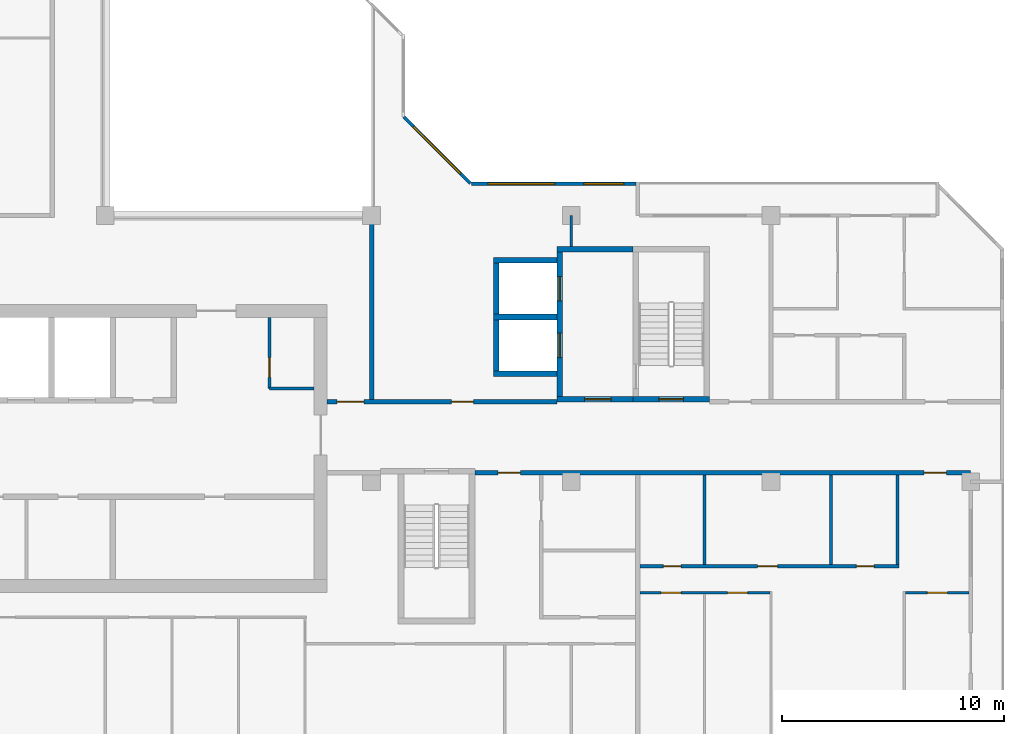
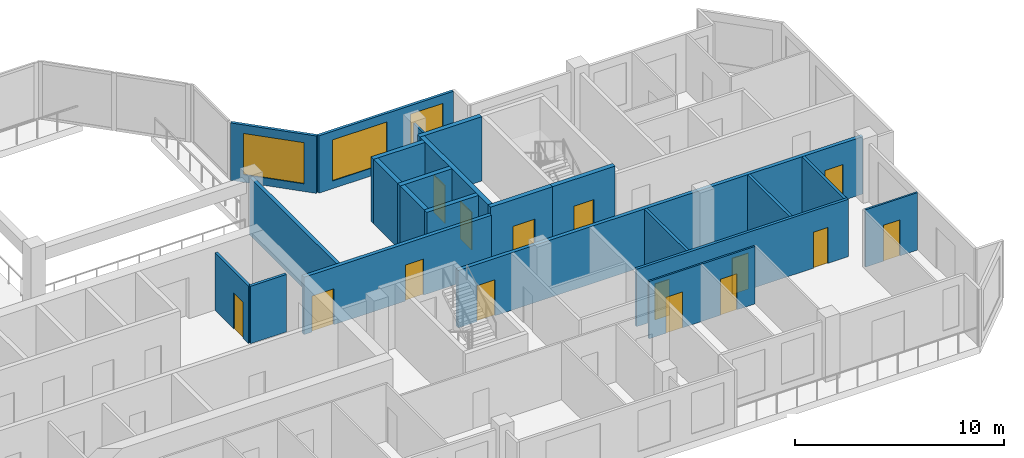
# One storey, part 7 of 13: 23 walls, 15 doors, 3 windows, 18 openings.
"""IFC4 building model written with IfcOpenShell, lengths in metres."""

import ifcopenshell
import ifcopenshell.guid

model = None  # the IFC model being written
_history = None  # IfcOwnerHistory: only IFC2X3 demands one
_inside = {}  # id of a spatial element -> (the spatial element, [elements in it])
_under = {}  # id of a project, library or spatial element -> (it, [spatial elements below it])
_declared = {}  # id of a project -> (the project, [libraries it declares])
_typed = {}  # id of a type object -> (the type object, [elements of that type])
_made_of = {}  # id of a material, layer set ... -> (it, [elements and type objects made of it])


def new_model(schema):
    """Start an empty IFC model of exactly this schema.

    Asked for "IFC4X3", IfcOpenShell would pick the latest addendum, in which some entities
    have other attributes; the version numbers below select the first issue.
    IFC2X3 requires an IfcOwnerHistory on every rooted entity: one is made here for all.
    """
    global model, _history
    if schema == "IFC4X3":
        model = ifcopenshell.file(schema_version=(4, 3, 0, 0))
    else:
        model = ifcopenshell.file(schema=schema)
    _inside.clear()
    _under.clear()
    _declared.clear()
    _typed.clear()
    _made_of.clear()
    _history = None
    if model.schema == "IFC2X3":
        org = make("IfcOrganization", Name="unknown")
        user = make(
            "IfcPersonAndOrganization",
            ThePerson=make("IfcPerson", FamilyName="unknown"),
            TheOrganization=org,
        )
        app = make(
            "IfcApplication",
            ApplicationDeveloper=org,
            Version="unknown",
            ApplicationFullName="unknown",
            ApplicationIdentifier="unknown",
        )
        _history = make(
            "IfcOwnerHistory",
            OwningUser=user,
            OwningApplication=app,
            ChangeAction="ADDED",
            CreationDate=0,
        )
    return model


def make(cls, **values):
    """One entity of the class cls with the attributes given. An attribute that is None is left unset."""
    return model.create_entity(
        cls, **{name: value for name, value in values.items() if value is not None}
    )


def rooted(cls, **values):
    """An entity with a GlobalId (a new one), such as an element, a storey or a relation."""
    return make(cls, GlobalId=ifcopenshell.guid.new(), OwnerHistory=_history, **values)


def si_unit(unit_type, name, prefix=None):
    """IfcSIUnit, for example si_unit("LENGTHUNIT", "METRE", prefix="MILLI")."""
    return make("IfcSIUnit", UnitType=unit_type, Prefix=prefix, Name=name)


def assignment(units):
    """IfcUnitAssignment: the units of a project."""
    return None if units is None else make("IfcUnitAssignment", Units=units)


def point(xyz):
    """IfcCartesianPoint."""
    return None if xyz is None else make("IfcCartesianPoint", Coordinates=xyz)


def direction(xyz):
    """IfcDirection."""
    return None if xyz is None else make("IfcDirection", DirectionRatios=xyz)


def frame(location, z_axis=None, x_axis=None):
    """IfcAxis2Placement3D, a coordinate frame: its origin and axes. An axis left out is left unset."""
    return make(
        "IfcAxis2Placement3D",
        Location=point(location),
        Axis=direction(z_axis),
        RefDirection=direction(x_axis),
    )


def frame_2d(location, x_axis=None):
    """IfcAxis2Placement2D, a coordinate frame in the plane: its origin and x axis."""
    return make(
        "IfcAxis2Placement2D", Location=point(location), RefDirection=direction(x_axis)
    )


def origin():
    """The frame at (0, 0, 0) with its axes left unset."""
    return frame((0.0, 0.0, 0.0))


def place(relative_to, where):
    """IfcLocalPlacement: puts the frame where relative to a parent placement (None: the world)."""
    return make(
        "IfcLocalPlacement", PlacementRelTo=relative_to, RelativePlacement=where
    )


def context(
    kind, dimensions, precision=None, world=None, true_north=None, identifier=None
):
    """IfcGeometricRepresentationContext, for example the 3D "Model" context."""
    return make(
        "IfcGeometricRepresentationContext",
        ContextIdentifier=identifier,
        ContextType=kind,
        CoordinateSpaceDimension=dimensions,
        Precision=precision,
        WorldCoordinateSystem=world,
        TrueNorth=true_north,
    )


def subcontext(parent, identifier, kind, view, scale=None):
    """IfcGeometricRepresentationSubContext, for example "Body" below "Model"."""
    return make(
        "IfcGeometricRepresentationSubContext",
        ContextIdentifier=identifier,
        ContextType=kind,
        ParentContext=parent,
        TargetScale=scale,
        TargetView=view,
    )


def project(units=None, contexts=None):
    """IfcProject with its units and contexts."""
    return rooted(
        "IfcProject",
        Name="project",
        RepresentationContexts=contexts,
        UnitsInContext=assignment(units),
    )


def spatial(cls, under=None, at=None, **own):
    """A site, building, storey or space (cls), placed at a placement, below another one or the project."""
    s = rooted(cls, ObjectPlacement=at, **own)
    if under is not None:
        _under.setdefault(under.id(), (under, []))[1].append(s)
    return s


def profile(cls, at=None, kind="AREA", **sizes):
    """A parametric profile (cls). Its sizes go by their IFC names, for example OverallWidth=200.0."""
    return make(cls, ProfileType=kind, Position=at, **sizes)


def rectangle(**sizes):
    """IfcRectangleProfileDef."""
    return profile("IfcRectangleProfileDef", **sizes)


def extrude(swept, where, along, depth):
    """IfcExtrudedAreaSolid: the profile swept, set in the frame where, extruded along a direction by depth."""
    return make(
        "IfcExtrudedAreaSolid",
        SweptArea=swept,
        Position=where,
        ExtrudedDirection=direction(along),
        Depth=depth,
    )


def shape(context_of_items, identifier, shape_type, items):
    """IfcShapeRepresentation: the items that make up one representation, for example the "Body"."""
    return make(
        "IfcShapeRepresentation",
        ContextOfItems=context_of_items,
        RepresentationIdentifier=identifier,
        RepresentationType=shape_type,
        Items=items,
    )


def material(Name=None, Category=None):
    """IfcMaterial."""
    return make("IfcMaterial", Name=Name, Category=Category)


def layer(
    of_material, thickness, ventilated=None, Name=None, Category=None, Priority=None
):
    """IfcMaterialLayer: one layer of a wall or slab, of a material (None: an air gap)."""
    return make(
        "IfcMaterialLayer",
        Material=of_material,
        LayerThickness=thickness,
        IsVentilated=ventilated,
        Name=Name,
        Category=Category,
        Priority=Priority,
    )


def layer_set(layers, Name=None):
    """IfcMaterialLayerSet."""
    return make("IfcMaterialLayerSet", MaterialLayers=layers, LayerSetName=Name)


def made_of(thing, what):
    """Note that an element or type object is made of a material, layer set ...; save() writes the relation."""
    if what is not None:
        _made_of.setdefault(what.id(), (what, []))[1].append(thing)
    return thing


def type_object(cls, material=None, **own):
    """A type object (cls), such as IfcWallType, which elements share."""
    return made_of(rooted(cls, **own), material)


def element(
    cls,
    number,
    at=None,
    inside=None,
    cuts=None,
    type_object=None,
    material=None,
    context=None,
    identifier="Body",
    shape_type=None,
    held_by="IfcProductDefinitionShape",
    body=None,
    shapes=None,
    **own,
):
    """One element of the class cls, such as IfcWall. Its Tag is "e" and its number.

    at: its placement. inside: the storey or other place that contains it. cuts: it is an
    opening in that element (IfcRelVoidsElement). A single representation is given by context,
    identifier, shape_type and body (its items); several are given by shapes. held_by: the class
    of the entity that holds the representations. save() writes the other relations.
    """
    e = rooted(cls, Tag="e%d" % number, ObjectPlacement=at, **own)
    if body is not None:
        shapes = [shape(context, identifier, shape_type, body)]
    if shapes is not None:
        e.Representation = make(held_by, Representations=shapes)
    if inside is not None:
        _inside.setdefault(inside.id(), (inside, []))[1].append(e)
    if cuts is not None:
        rooted(
            "IfcRelVoidsElement", RelatingBuildingElement=cuts, RelatedOpeningElement=e
        )
    if type_object is not None:
        _typed.setdefault(type_object.id(), (type_object, []))[1].append(e)
    return made_of(e, material)


def fill(opening, filler):
    """IfcRelFillsElement: the door or window that sits in an opening."""
    return rooted(
        "IfcRelFillsElement",
        RelatingOpeningElement=opening,
        RelatedBuildingElement=filler,
    )


def aggregate(whole, parts):
    """IfcRelAggregates: a whole, such as a stair, and the parts it consists of."""
    return rooted("IfcRelAggregates", RelatingObject=whole, RelatedObjects=parts)


def save(model, path):
    """Write the relations noted so far, then the file.

    IfcRelAggregates (storeys below a building ...), IfcRelContainedInSpatialStructure (elements
    in a storey), IfcRelDefinesByType, IfcRelAssociatesMaterial and IfcRelDeclares: one each for
    every whole, place, type object, material and project.
    """
    for whole, parts in _under.values():
        aggregate(whole, parts)
    for where, things in _inside.values():
        rooted(
            "IfcRelContainedInSpatialStructure",
            RelatedElements=things,
            RelatingStructure=where,
        )
    for kind, things in _typed.values():
        rooted("IfcRelDefinesByType", RelatedObjects=things, RelatingType=kind)
    for what, things in _made_of.values():
        rooted("IfcRelAssociatesMaterial", RelatedObjects=things, RelatingMaterial=what)
    for by, libraries in _declared.values():
        rooted("IfcRelDeclares", RelatingContext=by, RelatedDefinitions=libraries)
    model.write(path)


model = new_model("IFC4")

# Units and contexts
model_context = context("Model", 3, precision=1e-05, world=origin(), true_north=direction((0.0, 1.0)))
body_context = subcontext(model_context, "Body", "Model", "MODEL_VIEW")
ifc_project = project(units=[si_unit("LENGTHUNIT", "METRE"), si_unit("AREAUNIT", "SQUARE_METRE"), si_unit("VOLUMEUNIT", "CUBIC_METRE"), si_unit("PLANEANGLEUNIT", "RADIAN"), si_unit("MASSUNIT", "GRAM", prefix="KILO")], contexts=[model_context])

# Site, building, storey
site_placement = place(None, origin())
site = spatial("IfcSite", under=ifc_project, at=site_placement, CompositionType="ELEMENT")
building_placement = place(site_placement, origin())
building = spatial("IfcBuilding", under=site, at=building_placement, Name="Chenar Terraces", CompositionType="ELEMENT")
storey_placement = place(building_placement, frame((0.0, 0.0, 292.14990234375)))
storey = spatial("IfcBuildingStorey", under=building, at=storey_placement, Name="L68", CompositionType="ELEMENT", Elevation=292.14990234375)

# Wall, opening, door
ifc_material_1 = material(Name="Gypsum board on steel studs", Category="steel")
ifc_layer_1 = layer(ifc_material_1, 0.14990234375)
ifc_layer_set_1 = layer_set([ifc_layer_1], Name="Gypsum board on steel studs")
wall_type_1 = type_object("IfcWallType", Name="Core partition 150 gypsum board", PredefinedType="PARTITIONING", material=ifc_layer_set_1)
wall_1_placement = place(storey_placement, frame((31.39990234375, 16.199951171875, 0.0), z_axis=(0.0, 0.0, 1.0), x_axis=(0.0, 1.0, 0.0)))
wall_1 = element("IfcWall", 1, at=wall_1_placement, inside=storey, type_object=wall_type_1, Name="Core partition CP1 vestibule room west wall", PredefinedType="PARTITIONING", context=body_context, shape_type="SweptSolid", body=[
    extrude(rectangle(XDim=3.199951171875, YDim=0.14990234375, at=frame_2d((1.60009765625, 0.0))), origin(), (0.0, 0.0, 1.0), 3.35009765625),
])
opening_1_placement = place(wall_1_placement, frame((0.5, 0.0, 0.0)))
opening_1 = element("IfcOpeningElement", 2, at=opening_1_placement, cuts=wall_1, Name="Opening DL68-C17", PredefinedType="OPENING", context=body_context, shape_type="SweptSolid", body=[
    extrude(rectangle(XDim=0.89990234375, YDim=2.10009765625, at=frame_2d((0.449951171875, 1.050048828125))), frame((0.0, 0.0849609375, 0.0), z_axis=(0.0, -1.0, 0.0), x_axis=(1.0, 0.0, 0.0)), (0.0, 0.0, 1.0), 0.169921875),
])
ifc_material_2 = material(Name="Steel-framed fire-resisting door leaf", Category="steel")
door_type_1 = type_object("IfcDoorType", Name="Riser fire door FD60 900 x 2100", OperationType="SINGLE_SWING_LEFT", PredefinedType="DOOR", material=ifc_material_2)
door_1_placement = place(opening_1_placement, frame((0.89990234375, 0.0, 0.0), z_axis=(0.0, 0.0, 1.0), x_axis=(-1.0, 0.0, 0.0)))
door_1 = element("IfcDoor", 3, at=door_1_placement, inside=storey, type_object=door_type_1, Name="Core room door DL68-C17", OperationType="SINGLE_SWING_RIGHT", OverallHeight=2.10009765625, OverallWidth=0.89990234375, PredefinedType="DOOR", context=body_context, shape_type="SweptSolid", body=[
    extrude(rectangle(XDim=0.89990234375, YDim=2.10009765625, at=frame_2d((0.449951171875, 1.050048828125))), frame((0.0, 0.02490234375, 0.0), z_axis=(0.0, -1.0, 0.0), x_axis=(1.0, 0.0, 0.0)), (0.0, 0.0, 1.0), 0.050048828125),
])
fill(opening_1, door_1)

# Wall
wall_2_placement = place(storey_placement, frame((31.39990234375, 16.199951171875, 0.0), z_axis=(0.0, 0.0, 1.0), x_axis=(1.0, 0.0, 0.0)))
element("IfcWall", 4, at=wall_2_placement, inside=storey, type_object=wall_type_1, Name="Core partition CP1 vestibule room south wall", PredefinedType="PARTITIONING", context=body_context, shape_type="SweptSolid", body=[
    extrude(rectangle(XDim=2.0, YDim=0.14990234375, at=frame_2d((1.0, 0.0))), origin(), (0.0, 0.0, 1.0), 3.35009765625),
])

# Wall, opening, door
ifc_material_3 = material(Name="Concrete C50/60", Category="concrete")
ifc_layer_2 = layer(ifc_material_3, 0.25)
ifc_layer_set_2 = layer_set([ifc_layer_2], Name="Concrete C50/60")
wall_type_2 = type_object("IfcWallType", Name="Core wall 250 Concrete C50/60", PredefinedType="SHEAR", material=ifc_layer_set_2)
wall_3_placement = place(storey_placement, frame((47.77490234375, 15.72509765625, 0.0), z_axis=(0.0, 0.0, 1.0), x_axis=(1.0, 0.0, 0.0)))
wall_3 = element("IfcWall", 5, at=wall_3_placement, inside=storey, type_object=wall_type_2, Name="Core wall ST3_S L68", PredefinedType="SHEAR", context=body_context, shape_type="SweptSolid", body=[
    extrude(rectangle(XDim=3.4501953125, YDim=0.25, at=frame_2d((1.72509765625, 0.0))), origin(), (0.0, 0.0, 1.0), 3.75),
])
opening_2_placement = place(wall_3_placement, frame((1.175048828125, 0.0, 0.0)))
opening_2 = element("IfcOpeningElement", 6, at=opening_2_placement, cuts=wall_3, Name="Opening DL68-C8", PredefinedType="OPENING", context=body_context, shape_type="SweptSolid", body=[
    extrude(rectangle(XDim=1.10009765625, YDim=2.199951171875, at=frame_2d((0.550048828125, 1.10009765625))), frame((0.0, 0.135009765625, 0.0), z_axis=(0.0, -1.0, 0.0), x_axis=(1.0, 0.0, 0.0)), (0.0, 0.0, 1.0), 0.27001953125),
])
ifc_material_4 = material(Name="Steel-framed fire-resisting door leaf", Category="steel")
door_type_2 = type_object("IfcDoorType", Name="Stair fire door FD60 1100 x 2200", OperationType="SINGLE_SWING_LEFT", PredefinedType="DOOR", material=ifc_material_4)
door_2_placement = place(opening_2_placement, frame((1.10009765625, 0.0, 0.0), z_axis=(0.0, 0.0, 1.0), x_axis=(-1.0, 0.0, 0.0)))
door_2 = element("IfcDoor", 7, at=door_2_placement, inside=storey, type_object=door_type_2, Name="Stair door DL68-C8", OperationType="SINGLE_SWING_LEFT", OverallHeight=2.199951171875, OverallWidth=1.10009765625, PredefinedType="DOOR", context=body_context, shape_type="SweptSolid", body=[
    extrude(rectangle(XDim=1.10009765625, YDim=2.199951171875, at=frame_2d((0.550048828125, 1.10009765625))), frame((0.0, 0.02490234375, 0.0), z_axis=(0.0, -1.0, 0.0), x_axis=(1.0, 0.0, 0.0)), (0.0, 0.0, 1.0), 0.050048828125),
])
fill(opening_2, door_2)

wall_4_placement = place(storey_placement, frame((44.35009765625, 15.72509765625, 0.0), z_axis=(0.0, 0.0, 1.0), x_axis=(1.0, 0.0, 0.0)))
wall_4 = element("IfcWall", 8, at=wall_4_placement, inside=storey, type_object=wall_type_2, Name="Core wall F3_LS L68", PredefinedType="SHEAR", context=body_context, shape_type="SweptSolid", body=[
    extrude(rectangle(XDim=3.4248046875, YDim=0.25, at=frame_2d((1.71240234375, 0.0))), origin(), (0.0, 0.0, 1.0), 3.75),
])
opening_3_placement = place(wall_4_placement, frame((1.25, 0.0, 0.0)))
opening_3 = element("IfcOpeningElement", 9, at=opening_3_placement, cuts=wall_4, Name="Opening DL68-C10", PredefinedType="OPENING", context=body_context, shape_type="SweptSolid", body=[
    extrude(rectangle(XDim=1.199951171875, YDim=2.199951171875, at=frame_2d((0.60009765625, 1.10009765625))), frame((0.0, 0.135009765625, 0.0), z_axis=(0.0, -1.0, 0.0), x_axis=(1.0, 0.0, 0.0)), (0.0, 0.0, 1.0), 0.27001953125),
])
ifc_material_5 = material(Name="Steel-framed fire-resisting door leaf", Category="steel")
door_type_3 = type_object("IfcDoorType", Name="Lobby fire door FD60 1200 x 2200", OperationType="SINGLE_SWING_LEFT", PredefinedType="DOOR", material=ifc_material_5)
door_3_placement = place(opening_3_placement, origin())
door_3 = element("IfcDoor", 10, at=door_3_placement, inside=storey, type_object=door_type_3, Name="Core door DL68-C10", OperationType="SINGLE_SWING_RIGHT", OverallHeight=2.199951171875, OverallWidth=1.199951171875, PredefinedType="DOOR", context=body_context, shape_type="SweptSolid", body=[
    extrude(rectangle(XDim=1.199951171875, YDim=2.199951171875, at=frame_2d((0.60009765625, 1.10009765625))), frame((0.0, 0.02490234375, 0.0), z_axis=(0.0, -1.0, 0.0), x_axis=(1.0, 0.0, 0.0)), (0.0, 0.0, 1.0), 0.050048828125),
])
fill(opening_3, door_3)

# Wall
wall_5_placement = place(storey_placement, frame((44.35009765625, 22.47509765625, 0.0), z_axis=(0.0, 0.0, 1.0), x_axis=(1.0, 0.0, 0.0)))
element("IfcWall", 11, at=wall_5_placement, inside=storey, type_object=wall_type_2, Name="Core wall F3_LN L68", PredefinedType="SHEAR", context=body_context, shape_type="SweptSolid", body=[
    extrude(rectangle(XDim=3.4248046875, YDim=0.25, at=frame_2d((1.71240234375, 0.0))), origin(), (0.0, 0.0, 1.0), 3.75),
])

# Wall, openings, doors
wall_6_placement = place(storey_placement, frame((44.47509765625, 15.85009765625, 0.0), z_axis=(0.0, 0.0, 1.0), x_axis=(0.0, 1.0, 0.0)))
wall_6 = element("IfcWall", 12, at=wall_6_placement, inside=storey, type_object=wall_type_2, Name="Core wall F3_LW L68", PredefinedType="SHEAR", context=body_context, shape_type="SweptSolid", body=[
    extrude(rectangle(XDim=6.5, YDim=0.25, at=frame_2d((3.25, 0.0))), origin(), (0.0, 0.0, 1.0), 3.75),
])
opening_4_placement = place(wall_6_placement, frame((1.75, 0.0, 0.0)))
opening_4 = element("IfcOpeningElement", 13, at=opening_4_placement, cuts=wall_6, Name="Opening DL68-LD8", PredefinedType="OPENING", context=body_context, shape_type="SweptSolid", body=[
    extrude(rectangle(XDim=1.10009765625, YDim=2.199951171875, at=frame_2d((0.550048828125, 1.10009765625))), frame((0.0, 0.135009765625, 0.0), z_axis=(0.0, -1.0, 0.0), x_axis=(1.0, 0.0, 0.0)), (0.0, 0.0, 1.0), 0.27001953125),
])
opening_5_placement = place(wall_6_placement, frame((4.300048828125, 0.0, 0.0)))
opening_5 = element("IfcOpeningElement", 14, at=opening_5_placement, cuts=wall_6, Name="Opening DL68-LD9", PredefinedType="OPENING", context=body_context, shape_type="SweptSolid", body=[
    extrude(rectangle(XDim=1.10009765625, YDim=2.199951171875, at=frame_2d((0.550048828125, 1.10009765625))), frame((0.0, 0.135009765625, 0.0), z_axis=(0.0, -1.0, 0.0), x_axis=(1.0, 0.0, 0.0)), (0.0, 0.0, 1.0), 0.27001953125),
])
ifc_material_6 = material(Name="Stainless steel", Category="steel")
door_type_4 = type_object("IfcDoorType", Name="Lift landing door 1100 x 2200 sliding", OperationType="DOUBLE_DOOR_SLIDING", PredefinedType="DOOR", material=ifc_material_6)
door_4_placement = place(opening_4_placement, origin())
door_4 = element("IfcDoor", 15, at=door_4_placement, inside=storey, type_object=door_type_4, Name="Landing door F3", OperationType="DOUBLE_DOOR_SLIDING", OverallHeight=2.199951171875, OverallWidth=1.10009765625, PredefinedType="DOOR", context=body_context, shape_type="SweptSolid", body=[
    extrude(rectangle(XDim=1.10009765625, YDim=2.199951171875, at=frame_2d((0.550048828125, 1.10009765625))), frame((0.0, 0.02490234375, 0.0), z_axis=(0.0, -1.0, 0.0), x_axis=(1.0, 0.0, 0.0)), (0.0, 0.0, 1.0), 0.050048828125),
])
fill(opening_4, door_4)
door_5_placement = place(opening_5_placement, origin())
door_5 = element("IfcDoor", 16, at=door_5_placement, inside=storey, type_object=door_type_4, Name="Landing door F4", OperationType="DOUBLE_DOOR_SLIDING", OverallHeight=2.199951171875, OverallWidth=1.10009765625, PredefinedType="DOOR", context=body_context, shape_type="SweptSolid", body=[
    extrude(rectangle(XDim=1.10009765625, YDim=2.199951171875, at=frame_2d((0.550048828125, 1.10009765625))), frame((0.0, 0.02490234375, 0.0), z_axis=(0.0, -1.0, 0.0), x_axis=(1.0, 0.0, 0.0)), (0.0, 0.0, 1.0), 0.050048828125),
])
fill(opening_5, door_5)

# Walls
for number, where, z_axis, x_axis, name in (
    (17, (41.5, 16.875, 0.0), (0.0, 0.0, 1.0), (1.0, 0.0, 0.0), "Core wall F3_SS L68"),
    (18, (41.5, 19.425048828125, 0.0), (0.0, 0.0, 1.0), (1.0, 0.0, 0.0), "Core wall F3_SM L68"),
    (19, (41.5, 21.97509765625, 0.0), (0.0, 0.0, 1.0), (1.0, 0.0, 0.0), "Core wall F4_SN L68"),
):
    element("IfcWall", number, at=place(storey_placement, frame(where, z_axis=z_axis, x_axis=x_axis)), inside=storey, type_object=wall_type_2, Name=name, PredefinedType="SHEAR", context=body_context, shape_type="SweptSolid", body=[
        extrude(rectangle(XDim=2.85009765625, YDim=0.25, at=frame_2d((1.425048828125, 0.0))), origin(), (0.0, 0.0, 1.0), 3.75),
    ])
for number, where, z_axis, x_axis, name in (
    (20, (41.625, 17.0, 0.0), (0.0, 0.0, 1.0), (0.0, 1.0, 0.0), "Core wall F3_SW L68"),
    (21, (41.625, 19.550048828125, 0.0), (0.0, 0.0, 1.0), (0.0, 1.0, 0.0), "Core wall F4_SW L68"),
):
    element("IfcWall", number, at=place(storey_placement, frame(where, z_axis=z_axis, x_axis=x_axis)), inside=storey, type_object=wall_type_2, Name=name, PredefinedType="SHEAR", context=body_context, shape_type="SweptSolid", body=[
        extrude(rectangle(XDim=2.300048828125, YDim=0.25, at=frame_2d((1.14990234375, 0.0))), origin(), (0.0, 0.0, 1.0), 3.75),
    ])

# Wall, openings, doors
ifc_material_7 = material(Name="Gypsum board on steel studs with fire boards", Category="steel")
ifc_layer_3 = layer(ifc_material_7, 0.199951171875)
ifc_layer_set_3 = layer_set([ifc_layer_3], Name="Gypsum board on steel studs with fire boards")
wall_type_3 = type_object("IfcWallType", Name="Corridor wall 200", PredefinedType="PARTITIONING", material=ifc_layer_set_3)
wall_7_placement = place(storey_placement, frame((34.0, 15.60009765625, 0.0), z_axis=(0.0, 0.0, 1.0), x_axis=(1.0, 0.0, 0.0)))
wall_7 = element("IfcWall", 22, at=wall_7_placement, inside=storey, type_object=wall_type_3, Name="Partition L68-049", PredefinedType="PARTITIONING", context=body_context, shape_type="SweptSolid", body=[
    extrude(rectangle(XDim=10.35009765625, YDim=0.199951171875, at=frame_2d((5.175048828125, 0.0))), origin(), (0.0, 0.0, 1.0), 3.35009765625),
])
opening_6_placement = place(wall_7_placement, frame((5.60009765625, 0.0, 0.0)))
opening_6 = element("IfcOpeningElement", 23, at=opening_6_placement, cuts=wall_7, Name="Opening DL68-3", PredefinedType="OPENING", context=body_context, shape_type="SweptSolid", body=[
    extrude(rectangle(XDim=1.0, YDim=2.10009765625, at=frame_2d((0.5, 1.050048828125))), frame((0.0, 0.10986328125, 0.0), z_axis=(0.0, -1.0, 0.0), x_axis=(1.0, 0.0, 0.0)), (0.0, 0.0, 1.0), 0.219970703125),
])
opening_7_placement = place(wall_7_placement, frame((0.449951171875, 0.0, 0.0)))
opening_7 = element("IfcOpeningElement", 24, at=opening_7_placement, cuts=wall_7, Name="Opening DL68-30", PredefinedType="OPENING", context=body_context, shape_type="SweptSolid", body=[
    extrude(rectangle(XDim=1.199951171875, YDim=2.10009765625, at=frame_2d((0.60009765625, 1.050048828125))), frame((0.0, 0.10986328125, 0.0), z_axis=(0.0, -1.0, 0.0), x_axis=(1.0, 0.0, 0.0)), (0.0, 0.0, 1.0), 0.219970703125),
])
ifc_material_8 = material(Name="Steel-framed fire-resisting door leaf", Category="steel")
door_type_5 = type_object("IfcDoorType", Name="Fire door FD60 1000 x 2100", OperationType="SINGLE_SWING_LEFT", PredefinedType="DOOR", material=ifc_material_8)
door_6_placement = place(opening_6_placement, origin())
door_6 = element("IfcDoor", 25, at=door_6_placement, inside=storey, type_object=door_type_5, Name="Door DL68-3", OperationType="SINGLE_SWING_RIGHT", OverallHeight=2.10009765625, OverallWidth=1.0, PredefinedType="DOOR", context=body_context, shape_type="SweptSolid", body=[
    extrude(rectangle(XDim=1.0, YDim=2.10009765625, at=frame_2d((0.5, 1.050048828125))), frame((0.0, 0.02490234375, 0.0), z_axis=(0.0, -1.0, 0.0), x_axis=(1.0, 0.0, 0.0)), (0.0, 0.0, 1.0), 0.050048828125),
])
fill(opening_6, door_6)
ifc_material_9 = material(Name="Steel-framed fire-resisting door leaf", Category="steel")
door_type_6 = type_object("IfcDoorType", Name="Fire door FD60 1200 x 2100", OperationType="SINGLE_SWING_LEFT", PredefinedType="DOOR", material=ifc_material_9)
door_7_placement = place(opening_7_placement, origin())
door_7 = element("IfcDoor", 26, at=door_7_placement, inside=storey, type_object=door_type_6, Name="Door DL68-30", OperationType="SINGLE_SWING_RIGHT", OverallHeight=2.10009765625, OverallWidth=1.199951171875, PredefinedType="DOOR", context=body_context, shape_type="SweptSolid", body=[
    extrude(rectangle(XDim=1.199951171875, YDim=2.10009765625, at=frame_2d((0.60009765625, 1.050048828125))), frame((0.0, 0.02490234375, 0.0), z_axis=(0.0, -1.0, 0.0), x_axis=(1.0, 0.0, 0.0)), (0.0, 0.0, 1.0), 0.050048828125),
])
fill(opening_7, door_7)

# Wall
wall_8_placement = place(storey_placement, frame((36.0, 15.699951171875, 0.0), z_axis=(0.0, 0.0, 1.0), x_axis=(0.0, 1.0, 0.0)))
element("IfcWall", 27, at=wall_8_placement, inside=storey, type_object=wall_type_3, Name="Partition L68-050", PredefinedType="PARTITIONING", context=body_context, shape_type="SweptSolid", body=[
    extrude(rectangle(XDim=8.300048828125, YDim=0.199951171875, at=frame_2d((4.14990234375, 0.0))), origin(), (0.0, 0.0, 1.0), 3.35009765625),
])

# Wall, openings, doors
wall_9_placement = place(storey_placement, frame((40.64990234375, 12.39990234375, 0.0), z_axis=(0.0, 0.0, 1.0), x_axis=(1.0, 0.0, 0.0)))
wall_9 = element("IfcWall", 28, at=wall_9_placement, inside=storey, type_object=wall_type_3, Name="Partition L68-051", PredefinedType="PARTITIONING", context=body_context, shape_type="SweptSolid", body=[
    extrude(rectangle(XDim=22.35009765625, YDim=0.199951171875, at=frame_2d((11.175048828125, 0.0))), origin(), (0.0, 0.0, 1.0), 3.35009765625),
])
opening_8_placement = place(wall_9_placement, frame((20.25, 0.0, 0.0)))
opening_8 = element("IfcOpeningElement", 29, at=opening_8_placement, cuts=wall_9, Name="Opening DL68-15", PredefinedType="OPENING", context=body_context, shape_type="SweptSolid", body=[
    extrude(rectangle(XDim=1.0, YDim=2.10009765625, at=frame_2d((0.5, 1.050048828125))), frame((0.0, 0.10986328125, 0.0), z_axis=(0.0, -1.0, 0.0), x_axis=(1.0, 0.0, 0.0)), (0.0, 0.0, 1.0), 0.219970703125),
])
opening_9_placement = place(wall_9_placement, frame((1.050048828125, 0.0, 0.0)))
opening_9 = element("IfcOpeningElement", 30, at=opening_9_placement, cuts=wall_9, Name="Opening DL68-44", PredefinedType="OPENING", context=body_context, shape_type="SweptSolid", body=[
    extrude(rectangle(XDim=1.0, YDim=2.10009765625, at=frame_2d((0.5, 1.050048828125))), frame((0.0, 0.10986328125, 0.0), z_axis=(0.0, -1.0, 0.0), x_axis=(1.0, 0.0, 0.0)), (0.0, 0.0, 1.0), 0.219970703125),
])
ifc_material_10 = material(Name="Steel-framed fire-resisting door leaf", Category="steel")
door_type_7 = type_object("IfcDoorType", Name="Fire door FD30S 1000 x 2100", OperationType="SINGLE_SWING_LEFT", PredefinedType="DOOR", material=ifc_material_10)
door_8_placement = place(opening_8_placement, frame((1.0, 0.0, 0.0), z_axis=(0.0, 0.0, 1.0), x_axis=(-1.0, 0.0, 0.0)))
door_8 = element("IfcDoor", 31, at=door_8_placement, inside=storey, type_object=door_type_7, Name="Door DL68-15", OperationType="SINGLE_SWING_LEFT", OverallHeight=2.10009765625, OverallWidth=1.0, PredefinedType="DOOR", context=body_context, shape_type="SweptSolid", body=[
    extrude(rectangle(XDim=1.0, YDim=2.10009765625, at=frame_2d((0.5, 1.050048828125))), frame((0.0, 0.02490234375, 0.0), z_axis=(0.0, -1.0, 0.0), x_axis=(1.0, 0.0, 0.0)), (0.0, 0.0, 1.0), 0.050048828125),
])
fill(opening_8, door_8)
door_9_placement = place(opening_9_placement, origin())
door_9 = element("IfcDoor", 32, at=door_9_placement, inside=storey, type_object=door_type_7, Name="Door DL68-44", OperationType="SINGLE_SWING_LEFT", OverallHeight=2.10009765625, OverallWidth=1.0, PredefinedType="DOOR", context=body_context, shape_type="SweptSolid", body=[
    extrude(rectangle(XDim=1.0, YDim=2.10009765625, at=frame_2d((0.5, 1.050048828125))), frame((0.0, 0.02490234375, 0.0), z_axis=(0.0, -1.0, 0.0), x_axis=(1.0, 0.0, 0.0)), (0.0, 0.0, 1.0), 0.050048828125),
])
fill(opening_9, door_9)

# Wall, openings, windows
ifc_material_11 = material(Name="Aluminium framed glazing", Category="aluminium")
ifc_layer_4 = layer(ifc_material_11, 0.14990234375)
ifc_layer_set_4 = layer_set([ifc_layer_4], Name="Aluminium framed glazing")
wall_type_4 = type_object("IfcWallType", Name="Glazed flush facade wall 150", PredefinedType="SOLIDWALL", material=ifc_layer_set_4)
wall_10_placement = place(storey_placement, frame((47.925048828125, 25.425048828125, 0.0), z_axis=(0.0, 0.0, 1.0), x_axis=(-1.0, 0.0, 0.0)))
wall_10 = element("IfcWall", 33, at=wall_10_placement, inside=storey, type_object=wall_type_4, Name="Glazed flush facade wall", PredefinedType="SOLIDWALL", context=body_context, shape_type="SweptSolid", body=[
    extrude(rectangle(XDim=7.425048828125, YDim=0.14990234375, at=frame_2d((3.71240234375, 0.0))), origin(), (0.0, 0.0, 1.0), 3.35009765625),
])
opening_10_placement = place(wall_10_placement, frame((0.5625, 0.0, 0.449951171875)))
opening_10 = element("IfcOpeningElement", 34, at=opening_10_placement, cuts=wall_10, Name="Opening W180x240", PredefinedType="OPENING", context=body_context, shape_type="SweptSolid", body=[
    extrude(rectangle(XDim=1.800048828125, YDim=2.39990234375, at=frame_2d((0.89990234375, 1.199951171875))), frame((0.0, 0.0849609375, 0.0), z_axis=(0.0, -1.0, 0.0), x_axis=(1.0, 0.0, 0.0)), (0.0, 0.0, 1.0), 0.169921875),
])
opening_11_placement = place(wall_10_placement, frame((3.675048828125, 0.0, 0.449951171875)))
opening_11 = element("IfcOpeningElement", 35, at=opening_11_placement, cuts=wall_10, Name="Opening W300x240", PredefinedType="OPENING", context=body_context, shape_type="SweptSolid", body=[
    extrude(rectangle(XDim=3.0, YDim=2.39990234375, at=frame_2d((1.5, 1.199951171875))), frame((0.0, 0.0849609375, 0.0), z_axis=(0.0, -1.0, 0.0), x_axis=(1.0, 0.0, 0.0)), (0.0, 0.0, 1.0), 0.169921875),
])
ifc_material_12 = material(Name="Low emissivity double glazing, aluminium frame", Category="aluminium")
window_type_1 = type_object("IfcWindowType", Name="Fixed light 1800 x 2400", PartitioningType="SINGLE_PANEL", PredefinedType="WINDOW", material=ifc_material_12)
window_1_placement = place(opening_10_placement, origin())
window_1 = element("IfcWindow", 36, at=window_1_placement, inside=storey, type_object=window_type_1, Name="Window", OverallHeight=2.39990234375, OverallWidth=1.800048828125, PartitioningType="SINGLE_PANEL", PredefinedType="WINDOW", context=body_context, shape_type="SweptSolid", body=[
    extrude(rectangle(XDim=1.800048828125, YDim=2.39990234375, at=frame_2d((0.89990234375, 1.199951171875))), frame((0.0, 0.030029296875, 0.0), z_axis=(0.0, -1.0, 0.0), x_axis=(1.0, 0.0, 0.0)), (0.0, 0.0, 1.0), 0.06005859375),
])
fill(opening_10, window_1)
ifc_material_13 = material(Name="Low emissivity double glazing, aluminium frame", Category="aluminium")
window_type_2 = type_object("IfcWindowType", Name="Fixed light 3000 x 2400", PartitioningType="SINGLE_PANEL", PredefinedType="WINDOW", material=ifc_material_13)
window_2_placement = place(opening_11_placement, origin())
window_2 = element("IfcWindow", 37, at=window_2_placement, inside=storey, type_object=window_type_2, Name="Window", OverallHeight=2.39990234375, OverallWidth=3.0, PartitioningType="SINGLE_PANEL", PredefinedType="WINDOW", context=body_context, shape_type="SweptSolid", body=[
    extrude(rectangle(XDim=3.0, YDim=2.39990234375, at=frame_2d((1.5, 1.199951171875))), frame((0.0, 0.030029296875, 0.0), z_axis=(0.0, -1.0, 0.0), x_axis=(1.0, 0.0, 0.0)), (0.0, 0.0, 1.0), 0.06005859375),
])
fill(opening_11, window_2)

# Wall
ifc_material_14 = material(Name="Gypsum board on steel studs", Category="steel")
ifc_layer_5 = layer(ifc_material_14, 0.10009765625)
ifc_layer_set_5 = layer_set([ifc_layer_5], Name="Gypsum board on steel studs")
wall_type_5 = type_object("IfcWallType", Name="Gypsum partition 100", PredefinedType="PARTITIONING", material=ifc_layer_set_5)
wall_11_placement = place(storey_placement, frame((45.0, 22.60009765625, 0.0), z_axis=(0.0, 0.0, 1.0), x_axis=(0.0, 1.0, 0.0)))
element("IfcWall", 38, at=wall_11_placement, inside=storey, type_object=wall_type_5, Name="Partition L68-057", PredefinedType="PARTITIONING", context=body_context, shape_type="SweptSolid", body=[
    extrude(rectangle(XDim=1.39990234375, YDim=0.10009765625, at=frame_2d((0.699951171875, 0.0))), origin(), (0.0, 0.0, 1.0), 3.35009765625),
])

# Wall, openings, doors
wall_12_placement = place(storey_placement, frame((48.10009765625, 7.0, 0.0), z_axis=(0.0, 0.0, 1.0), x_axis=(1.0, 0.0, 0.0)))
wall_12 = element("IfcWall", 39, at=wall_12_placement, inside=storey, type_object=wall_type_5, Name="Partition L68-059", PredefinedType="PARTITIONING", context=body_context, shape_type="SweptSolid", body=[
    extrude(rectangle(XDim=5.849853515625, YDim=0.10009765625, at=frame_2d((2.9248046875, 0.0))), origin(), (0.0, 0.0, 1.0), 3.35009765625),
])
opening_12_placement = place(wall_12_placement, frame((0.949951171875, 0.0, 0.0)))
opening_12 = element("IfcOpeningElement", 40, at=opening_12_placement, cuts=wall_12, Name="Opening DL68-10", PredefinedType="OPENING", context=body_context, shape_type="SweptSolid", body=[
    extrude(rectangle(XDim=0.89990234375, YDim=2.10009765625, at=frame_2d((0.449951171875, 1.050048828125))), frame((0.0, 0.06005859375, 0.0), z_axis=(0.0, -1.0, 0.0), x_axis=(1.0, 0.0, 0.0)), (0.0, 0.0, 1.0), 0.1201171875),
])
opening_13_placement = place(wall_12_placement, frame((3.949951171875, 0.0, 0.0)))
opening_13 = element("IfcOpeningElement", 41, at=opening_13_placement, cuts=wall_12, Name="Opening DL68-11", PredefinedType="OPENING", context=body_context, shape_type="SweptSolid", body=[
    extrude(rectangle(XDim=0.89990234375, YDim=2.10009765625, at=frame_2d((0.449951171875, 1.050048828125))), frame((0.0, 0.06005859375, 0.0), z_axis=(0.0, -1.0, 0.0), x_axis=(1.0, 0.0, 0.0)), (0.0, 0.0, 1.0), 0.1201171875),
])
ifc_material_15 = material(Name="Veneered timber door leaf", Category="wood")
door_type_8 = type_object("IfcDoorType", Name="Door 900 x 2100", OperationType="SINGLE_SWING_LEFT", PredefinedType="DOOR", material=ifc_material_15)
door_10_placement = place(opening_12_placement, frame((0.89990234375, 0.0, 0.0), z_axis=(0.0, 0.0, 1.0), x_axis=(-1.0, 0.0, 0.0)))
door_10 = element("IfcDoor", 42, at=door_10_placement, inside=storey, type_object=door_type_8, Name="Door DL68-10", OperationType="SINGLE_SWING_LEFT", OverallHeight=2.10009765625, OverallWidth=0.89990234375, PredefinedType="DOOR", context=body_context, shape_type="SweptSolid", body=[
    extrude(rectangle(XDim=0.89990234375, YDim=2.10009765625, at=frame_2d((0.449951171875, 1.050048828125))), frame((0.0, 0.02490234375, 0.0), z_axis=(0.0, -1.0, 0.0), x_axis=(1.0, 0.0, 0.0)), (0.0, 0.0, 1.0), 0.050048828125),
])
fill(opening_12, door_10)
door_11_placement = place(opening_13_placement, frame((0.89990234375, 0.0, 0.0), z_axis=(0.0, 0.0, 1.0), x_axis=(-1.0, 0.0, 0.0)))
door_11 = element("IfcDoor", 43, at=door_11_placement, inside=storey, type_object=door_type_8, Name="Door DL68-11", OperationType="SINGLE_SWING_LEFT", OverallHeight=2.10009765625, OverallWidth=0.89990234375, PredefinedType="DOOR", context=body_context, shape_type="SweptSolid", body=[
    extrude(rectangle(XDim=0.89990234375, YDim=2.10009765625, at=frame_2d((0.449951171875, 1.050048828125))), frame((0.0, 0.02490234375, 0.0), z_axis=(0.0, -1.0, 0.0), x_axis=(1.0, 0.0, 0.0)), (0.0, 0.0, 1.0), 0.050048828125),
])
fill(opening_13, door_11)

# Wall, opening, door
wall_13_placement = place(storey_placement, frame((60.050048828125, 7.0, 0.0), z_axis=(0.0, 0.0, 1.0), x_axis=(1.0, 0.0, 0.0)))
wall_13 = element("IfcWall", 44, at=wall_13_placement, inside=storey, type_object=wall_type_5, Name="Partition L68-075", PredefinedType="PARTITIONING", context=body_context, shape_type="SweptSolid", body=[
    extrude(rectangle(XDim=2.8759765625, YDim=0.10009765625, at=frame_2d((1.43798828125, 0.0))), origin(), (0.0, 0.0, 1.0), 3.35009765625),
])
opening_14_placement = place(wall_13_placement, frame((1.0, 0.0, 0.0)))
opening_14 = element("IfcOpeningElement", 45, at=opening_14_placement, cuts=wall_13, Name="Opening DL68-12", PredefinedType="OPENING", context=body_context, shape_type="SweptSolid", body=[
    extrude(rectangle(XDim=0.89990234375, YDim=2.10009765625, at=frame_2d((0.449951171875, 1.050048828125))), frame((0.0, 0.06005859375, 0.0), z_axis=(0.0, -1.0, 0.0), x_axis=(1.0, 0.0, 0.0)), (0.0, 0.0, 1.0), 0.1201171875),
])
door_12_placement = place(opening_14_placement, frame((0.89990234375, 0.0, 0.0), z_axis=(0.0, 0.0, 1.0), x_axis=(-1.0, 0.0, 0.0)))
door_12 = element("IfcDoor", 46, at=door_12_placement, inside=storey, type_object=door_type_8, Name="Door DL68-12", OperationType="SINGLE_SWING_LEFT", OverallHeight=2.10009765625, OverallWidth=0.89990234375, PredefinedType="DOOR", context=body_context, shape_type="SweptSolid", body=[
    extrude(rectangle(XDim=0.89990234375, YDim=2.10009765625, at=frame_2d((0.449951171875, 1.050048828125))), frame((0.0, 0.02490234375, 0.0), z_axis=(0.0, -1.0, 0.0), x_axis=(1.0, 0.0, 0.0)), (0.0, 0.0, 1.0), 0.050048828125),
])
fill(opening_14, door_12)

# Wall, opening, window
ifc_material_16 = material(Name="Terracotta cladding on insulated backing", Category="masonry")
ifc_layer_6 = layer(ifc_material_16, 0.14990234375)
ifc_layer_set_6 = layer_set([ifc_layer_6], Name="Terracotta cladding on insulated backing")
wall_type_6 = type_object("IfcWallType", Name="Terracotta rainscreen wall 150", PredefinedType="SOLIDWALL", material=ifc_layer_set_6)
wall_14_placement = place(storey_placement, frame((40.447021484375, 25.447021484375, 0.0), z_axis=(0.0, 0.0, 1.0), x_axis=(-0.707106781187, 0.707106781187, 0.0)))
wall_14 = element("IfcWall", 47, at=wall_14_placement, inside=storey, type_object=wall_type_6, Name="Terracotta rainscreen wall", PredefinedType="SOLIDWALL", context=body_context, shape_type="SweptSolid", body=[
    extrude(rectangle(XDim=4.24267578125, YDim=0.14990234375, at=frame_2d((2.121337890625, 0.0))), origin(), (0.0, 0.0, 1.0), 3.35009765625),
])
opening_15_placement = place(wall_14_placement, frame((0.621337890625, 0.0, 0.449951171875)))
opening_15 = element("IfcOpeningElement", 48, at=opening_15_placement, cuts=wall_14, Name="Opening W300x240", PredefinedType="OPENING", context=body_context, shape_type="SweptSolid", body=[
    extrude(rectangle(XDim=3.0, YDim=2.39990234375, at=frame_2d((1.5, 1.199951171875))), frame((0.0, 0.0849609375, 0.0), z_axis=(0.0, -1.0, 0.0), x_axis=(1.0, 0.0, 0.0)), (0.0, 0.0, 1.0), 0.169921875),
])
window_3_placement = place(opening_15_placement, origin())
window_3 = element("IfcWindow", 49, at=window_3_placement, inside=storey, type_object=window_type_2, Name="Window", OverallHeight=2.39990234375, OverallWidth=3.0, PartitioningType="SINGLE_PANEL", PredefinedType="WINDOW", context=body_context, shape_type="SweptSolid", body=[
    extrude(rectangle(XDim=3.0, YDim=2.39990234375, at=frame_2d((1.5, 1.199951171875))), frame((0.0, 0.030029296875, 0.0), z_axis=(0.0, -1.0, 0.0), x_axis=(1.0, 0.0, 0.0)), (0.0, 0.0, 1.0), 0.06005859375),
])
fill(opening_15, window_3)

# Wall, openings, doors
ifc_material_17 = material(Name="Moisture-resistant gypsum board on steel studs", Category="steel")
ifc_layer_7 = layer(ifc_material_17, 0.14990234375)
ifc_layer_set_7 = layer_set([ifc_layer_7], Name="Moisture-resistant gypsum board on steel studs")
wall_type_7 = type_object("IfcWallType", Name="Wet-room partition 150", PredefinedType="PARTITIONING", material=ifc_layer_set_7)
wall_15_placement = place(storey_placement, frame((48.10009765625, 8.199951171875, 0.0), z_axis=(0.0, 0.0, 1.0), x_axis=(1.0, 0.0, 0.0)))
wall_15 = element("IfcWall", 50, at=wall_15_placement, inside=storey, type_object=wall_type_7, Name="Partition L68-060", PredefinedType="PARTITIONING", context=body_context, shape_type="SweptSolid", body=[
    extrude(rectangle(XDim=11.6748046875, YDim=0.14990234375, at=frame_2d((5.83740234375, 0.0))), origin(), (0.0, 0.0, 1.0), 3.35009765625),
])
opening_16_placement = place(wall_15_placement, frame((9.75, 0.0, 0.0)))
opening_16 = element("IfcOpeningElement", 51, at=opening_16_placement, cuts=wall_15, Name="Opening DL68-9", PredefinedType="OPENING", context=body_context, shape_type="SweptSolid", body=[
    extrude(rectangle(XDim=0.800048828125, YDim=2.10009765625, at=frame_2d((0.39990234375, 1.050048828125))), frame((0.0, 0.0849609375, 0.0), z_axis=(0.0, -1.0, 0.0), x_axis=(1.0, 0.0, 0.0)), (0.0, 0.0, 1.0), 0.169921875),
])
opening_17_placement = place(wall_15_placement, frame((5.300048828125, 0.0, 0.0)))
opening_17 = element("IfcOpeningElement", 52, at=opening_17_placement, cuts=wall_15, Name="Opening DL68-13", PredefinedType="OPENING", context=body_context, shape_type="SweptSolid", body=[
    extrude(rectangle(XDim=0.89990234375, YDim=2.10009765625, at=frame_2d((0.449951171875, 1.050048828125))), frame((0.0, 0.0849609375, 0.0), z_axis=(0.0, -1.0, 0.0), x_axis=(1.0, 0.0, 0.0)), (0.0, 0.0, 1.0), 0.169921875),
])
opening_18_placement = place(wall_15_placement, frame((1.050048828125, 0.0, 0.0)))
opening_18 = element("IfcOpeningElement", 53, at=opening_18_placement, cuts=wall_15, Name="Opening DL68-14", PredefinedType="OPENING", context=body_context, shape_type="SweptSolid", body=[
    extrude(rectangle(XDim=0.800048828125, YDim=2.10009765625, at=frame_2d((0.39990234375, 1.050048828125))), frame((0.0, 0.0849609375, 0.0), z_axis=(0.0, -1.0, 0.0), x_axis=(1.0, 0.0, 0.0)), (0.0, 0.0, 1.0), 0.169921875),
])
ifc_material_18 = material(Name="Veneered timber door leaf", Category="wood")
door_type_9 = type_object("IfcDoorType", Name="Door 800 x 2100", OperationType="SINGLE_SWING_LEFT", PredefinedType="DOOR", material=ifc_material_18)
door_13_placement = place(opening_16_placement, origin())
door_13 = element("IfcDoor", 54, at=door_13_placement, inside=storey, type_object=door_type_9, Name="Door DL68-9", OperationType="SINGLE_SWING_RIGHT", OverallHeight=2.10009765625, OverallWidth=0.800048828125, PredefinedType="DOOR", context=body_context, shape_type="SweptSolid", body=[
    extrude(rectangle(XDim=0.800048828125, YDim=2.10009765625, at=frame_2d((0.39990234375, 1.050048828125))), frame((0.0, 0.02490234375, 0.0), z_axis=(0.0, -1.0, 0.0), x_axis=(1.0, 0.0, 0.0)), (0.0, 0.0, 1.0), 0.050048828125),
])
fill(opening_16, door_13)
door_14_placement = place(opening_18_placement, origin())
door_14 = element("IfcDoor", 55, at=door_14_placement, inside=storey, type_object=door_type_9, Name="Door DL68-14", OperationType="SINGLE_SWING_RIGHT", OverallHeight=2.10009765625, OverallWidth=0.800048828125, PredefinedType="DOOR", context=body_context, shape_type="SweptSolid", body=[
    extrude(rectangle(XDim=0.800048828125, YDim=2.10009765625, at=frame_2d((0.39990234375, 1.050048828125))), frame((0.0, 0.02490234375, 0.0), z_axis=(0.0, -1.0, 0.0), x_axis=(1.0, 0.0, 0.0)), (0.0, 0.0, 1.0), 0.050048828125),
])
fill(opening_18, door_14)
door_15_placement = place(opening_17_placement, origin())
door_15 = element("IfcDoor", 56, at=door_15_placement, inside=storey, type_object=door_type_8, Name="Door DL68-13", OperationType="SINGLE_SWING_LEFT", OverallHeight=2.10009765625, OverallWidth=0.89990234375, PredefinedType="DOOR", context=body_context, shape_type="SweptSolid", body=[
    extrude(rectangle(XDim=0.89990234375, YDim=2.10009765625, at=frame_2d((0.449951171875, 1.050048828125))), frame((0.0, 0.02490234375, 0.0), z_axis=(0.0, -1.0, 0.0), x_axis=(1.0, 0.0, 0.0)), (0.0, 0.0, 1.0), 0.050048828125),
])
fill(opening_17, door_15)

# Walls
for number, where, z_axis, x_axis, name in (
    (57, (51.0, 8.27490234375, 0.0), (0.0, 0.0, 1.0), (0.0, 1.0, 0.0), "Partition L68-062"),
    (58, (56.699951171875, 8.27490234375, 0.0), (0.0, 0.0, 1.0), (0.0, 1.0, 0.0), "Partition L68-068"),
    (59, (59.699951171875, 8.27490234375, 0.0), (0.0, 0.0, 1.0), (0.0, 1.0, 0.0), "Partition L68-071"),
):
    element("IfcWall", number, at=place(storey_placement, frame(where, z_axis=z_axis, x_axis=x_axis)), inside=storey, type_object=wall_type_7, Name=name, PredefinedType="PARTITIONING", context=body_context, shape_type="SweptSolid", body=[
        extrude(rectangle(XDim=4.025146484375, YDim=0.14990234375, at=frame_2d((2.0126953125, 0.0))), origin(), (0.0, 0.0, 1.0), 3.35009765625),
    ])

save(model, "model.ifc")
